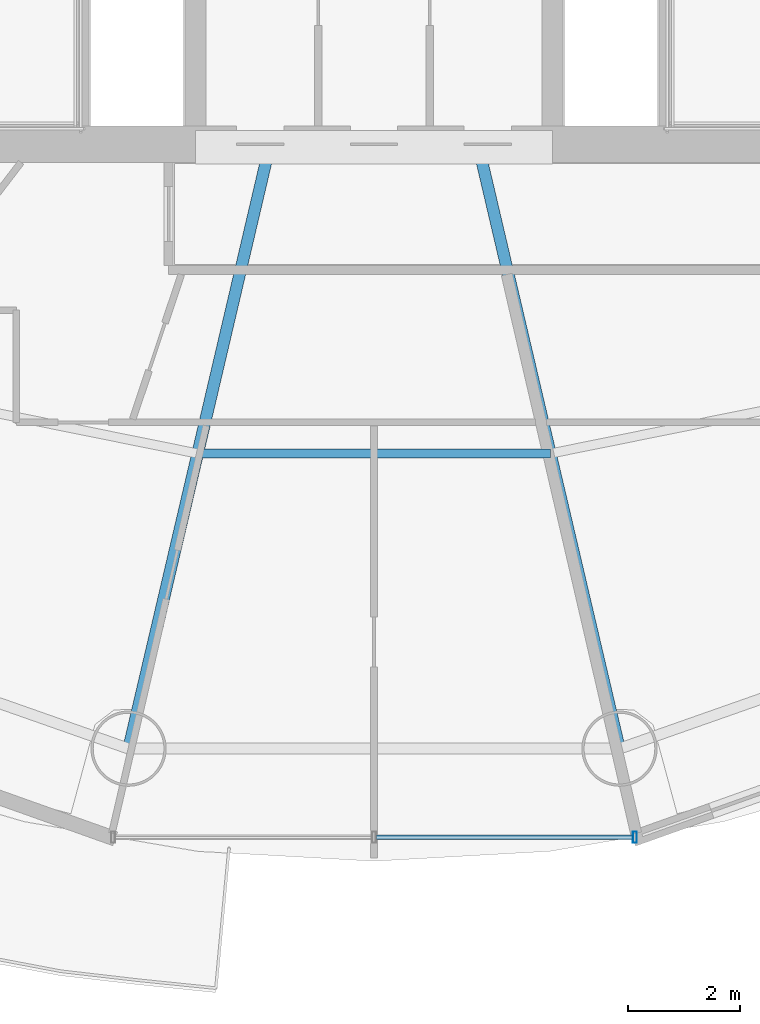
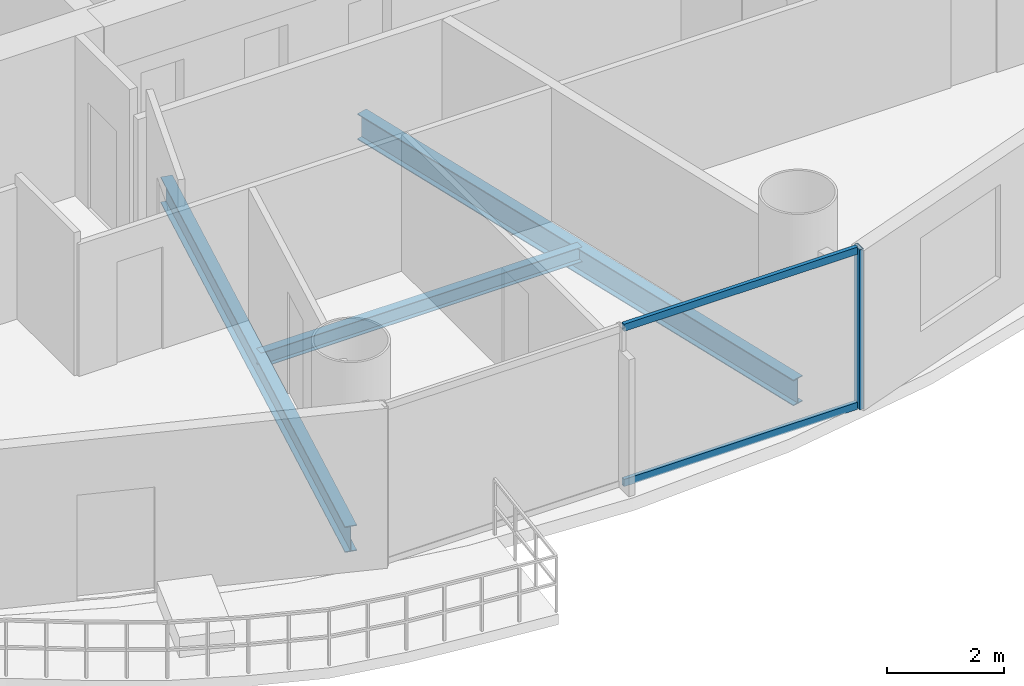
# One storey, part 5 of 26: 3 beams, 3 members, 1 element without a shape of its own.
"""IFC4 building model written with IfcOpenShell, lengths in metres."""

from ifc_helpers import new_model, si_unit, direction, frame, origin, origin_2d, place, context, subcontext, project, spatial, hollow_rectangle, i_section, extrude, source, transform, mapped, material, material_profile, profile_set, type_object, element, aggregate, save


model = new_model("IFC4")

# Units and contexts
model_context = context("Model", 3, precision=1e-05, world=origin(), true_north=direction((-0.2419218956, 0.970295726276)))
body_context = subcontext(model_context, "Body", "Model", "MODEL_VIEW")
ifc_project = project(units=[si_unit("LENGTHUNIT", "METRE"), si_unit("AREAUNIT", "SQUARE_METRE"), si_unit("VOLUMEUNIT", "CUBIC_METRE"), si_unit("PLANEANGLEUNIT", "RADIAN"), si_unit("MASSUNIT", "GRAM", prefix="KILO")], contexts=[model_context])

# Site, building, storey
site_placement = place(None, origin())
site = spatial("IfcSite", under=ifc_project, at=site_placement, CompositionType="ELEMENT")
building_placement = place(site_placement, origin())
building = spatial("IfcBuilding", under=site, at=building_placement, Name="Cobrevalo Terracotta Tower", CompositionType="ELEMENT")
storey_placement = place(building_placement, frame((0.0, 0.0, 142.60009765625)))
storey = spatial("IfcBuildingStorey", under=building, at=storey_placement, Name="L37", CompositionType="ELEMENT", Elevation=142.60009765625)

# Beams
ifc_material_1 = material(Name="Steel S355", Category="steel")
ifc_material_profile_1 = material_profile(ifc_material_1, i_section(OverallWidth=0.2109375, OverallDepth=0.5390625, WebThickness=0.01171875, FlangeThickness=0.018798828125, at=origin_2d()), Name="W 530x109")
ifc_profile_set_1 = profile_set([ifc_material_profile_1], Name="Steel S355")
beam_type_1 = type_object("IfcBeamType", Name="Structural Beam W 530x109 (Steel S355)", PredefinedType="BEAM", material=ifc_profile_set_1)
for number, where, z_axis, x_axis, name in (
    (1, (33.600830078125, 8.01806640625, -0.53955078125), (0.228045854186, 0.973650393308, 0.0), (-0.973650393308, 0.228045854186, 0.0), "L37 radial floor girder 12"),
    (2, (42.399169921875, 8.01806640625, -0.53955078125), (-0.228045854186, 0.973650393308, 0.0), (-0.973650393308, -0.228045854186, 0.0), "L37 radial floor girder 13"),
):
    element("IfcBeam", number, at=place(storey_placement, frame(where, z_axis=z_axis, x_axis=x_axis)), inside=storey, type_object=beam_type_1, Name=name, PredefinedType="BEAM", context=body_context, shape_type="SweptSolid", body=[
        extrude(i_section(OverallWidth=0.2109375, OverallDepth=0.5390625, WebThickness=0.01171875, FlangeThickness=0.018798828125, at=origin_2d()), origin(), (0.0, 0.0, 1.0), 10.863037109375),
    ])
ifc_material_profile_2 = material_profile(ifc_material_1, i_section(OverallWidth=0.1650390625, OverallDepth=0.31005859375, WebThickness=0.005859375, FlangeThickness=0.009765625, at=origin_2d()), Name="W 310x38.7")
ifc_profile_set_2 = profile_set([ifc_material_profile_2], Name="Steel S355")
beam_type_2 = type_object("IfcBeamType", Name="Structural Joist W 310x38.7 (Steel S355)", PredefinedType="JOIST", material=ifc_profile_set_2)
beam_placement = place(storey_placement, frame((34.83935546875, 13.306396484375, -0.425048828125), z_axis=(1.0, 0.0, 0.0), x_axis=(0.0, 1.0, 0.0)))
element("IfcBeam", 3, at=beam_placement, inside=storey, type_object=beam_type_2, Name="L37 circumferential secondary floor joist 12", PredefinedType="JOIST", context=body_context, shape_type="SweptSolid", body=[
    extrude(i_section(OverallWidth=0.1650390625, OverallDepth=0.31005859375, WebThickness=0.005859375, FlangeThickness=0.009765625, at=origin_2d()), origin(), (0.0, 0.0, 1.0), 6.3212890625),
])

# Curtain wall, members
ifc_material_2 = material(Name="Anodized aluminium", Category="aluminium")
curtain_wall_type = type_object("IfcCurtainWallType", Name="Mid-tower high-wind unitised curtain wall CW-U2", PredefinedType="NOTDEFINED", material=ifc_material_2)
curtain_wall_placement = place(storey_placement, origin())
curtain_wall = element("IfcCurtainWall", 4, at=curtain_wall_placement, inside=storey, type_object=curtain_wall_type, Name="L37 curtain wall CW-L37-S12", PredefinedType="NOTDEFINED")
ifc_material_profile_3 = material_profile(ifc_material_2, hollow_rectangle(XDim=0.074951171875, YDim=0.14990234375, WallThickness=0.00439453125, at=origin_2d()), Name="CWT 75x150")
ifc_profile_set_3 = profile_set([ifc_material_profile_3], Name="Anodized aluminium")
member_type_1 = type_object("IfcMemberType", Name="Tower unitised aluminium transom 75x150", PredefinedType="USERDEFINED", material=ifc_profile_set_3)
shared_shape_1 = source(origin(), body_context, "Body", "SweptSolid", [
    extrude(hollow_rectangle(XDim=0.074951171875, YDim=0.14990234375, WallThickness=0.00439453125, at=origin_2d()), origin(), (0.0, 0.0, 1.0), 4.59521484375),
])
member_1_placement = place(storey_placement, frame((38.0400390625, 6.42919921875, 0.0498046875), z_axis=(1.0, 0.0, 0.0), x_axis=(0.0, 1.0, 0.0)))
member_1 = element("IfcMember", 5, at=member_1_placement, type_object=member_type_1, Name="CW-L37-S12 transom B02-T1", ObjectType="TRANSOM", PredefinedType="USERDEFINED", context=body_context, shape_type="MappedRepresentation", body=[
    mapped(shared_shape_1, transform((0.0, 0.0, 0.0), scale=1.0)),
])
member_2_placement = place(storey_placement, frame((38.0400390625, 6.42919921875, 3.27978515625), z_axis=(1.0, 0.0, 0.0), x_axis=(0.0, 1.0, 0.0)))
member_2 = element("IfcMember", 6, at=member_2_placement, type_object=member_type_1, Name="CW-L37-S12 transom B02-T2", ObjectType="TRANSOM", PredefinedType="USERDEFINED", context=body_context, shape_type="MappedRepresentation", body=[
    mapped(shared_shape_1, transform((0.0, 0.0, 0.0), scale=1.0)),
])
ifc_material_profile_4 = material_profile(ifc_material_2, hollow_rectangle(XDim=0.074951171875, YDim=0.199951171875, WallThickness=0.0048828125, at=origin_2d()), Name="CWM 75x200")
ifc_profile_set_4 = profile_set([ifc_material_profile_4], Name="Anodized aluminium")
member_type_2 = type_object("IfcMemberType", Name="Lower/mid tower unitised mullion 75x200", PredefinedType="MULLION", material=ifc_profile_set_4)
shared_shape_2 = source(origin(), body_context, "Body", "SweptSolid", [
    extrude(hollow_rectangle(XDim=0.074951171875, YDim=0.199951171875, WallThickness=0.0048828125, at=origin_2d()), origin(), (0.0, 0.0, 1.0), 3.329833984375),
])
member_3_placement = place(storey_placement, frame((42.67529296875, 6.42919921875, 0.0), z_axis=(0.0, 0.0, 1.0), x_axis=(1.0, 0.0, 0.0)))
member_3 = element("IfcMember", 7, at=member_3_placement, type_object=member_type_2, Name="CW-L37-S12 vertical mullion 03", PredefinedType="MULLION", context=body_context, shape_type="MappedRepresentation", body=[
    mapped(shared_shape_2, transform((0.0, 0.0, 0.0), scale=1.0)),
])
aggregate(curtain_wall, [member_3, member_1, member_2])

save(model, "model.ifc")
